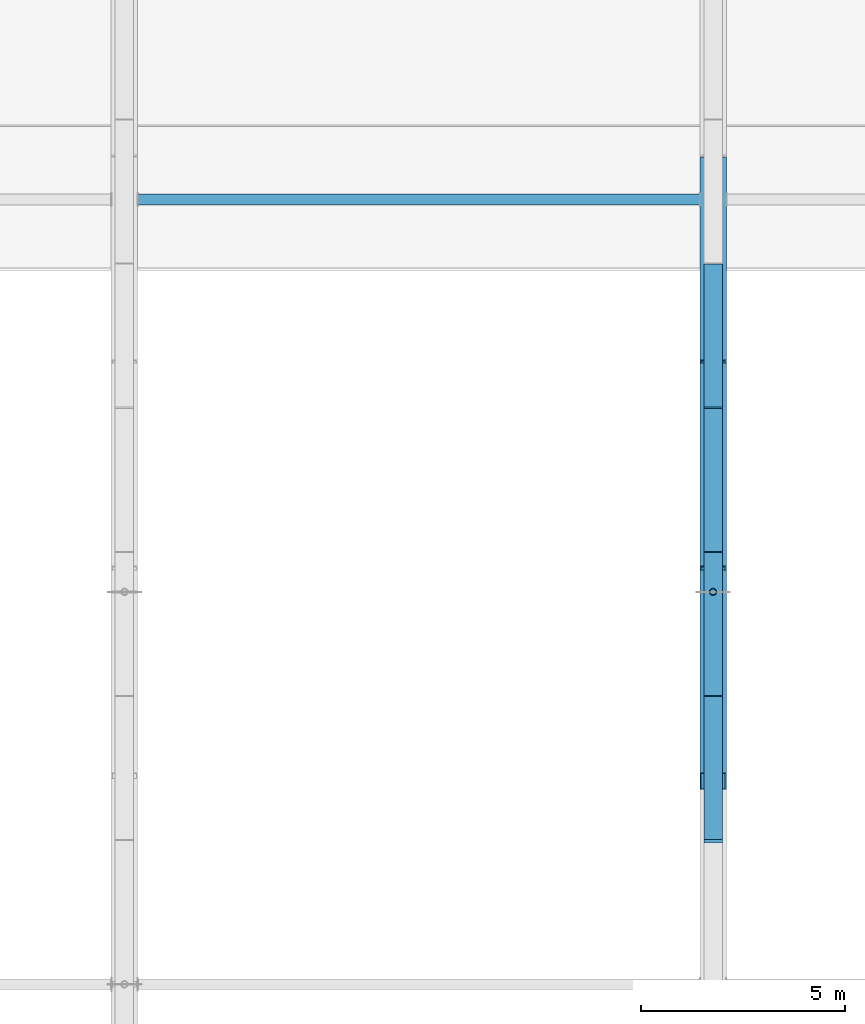
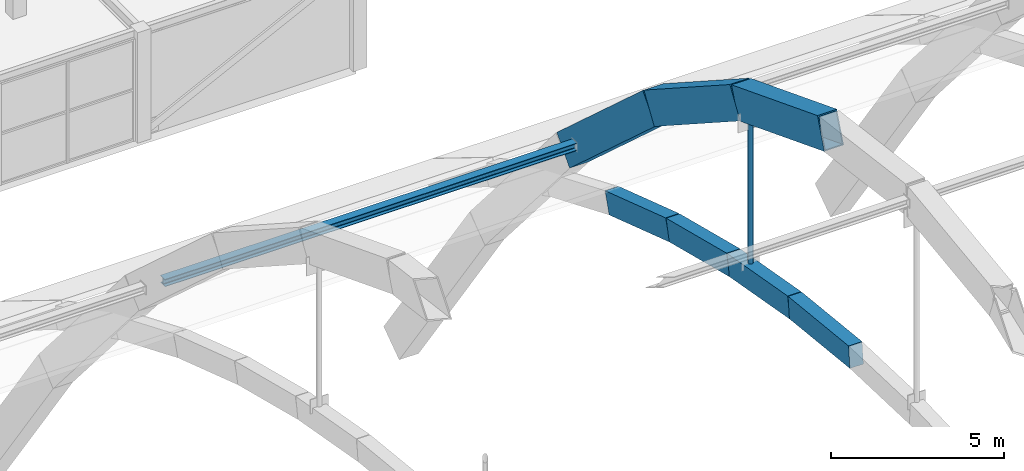
# One storey, part 16 of 64: 5 members, 4 beams.
"""IFC4 building model written with IfcOpenShell, lengths in metres."""

import ifcopenshell
import ifcopenshell.guid

model = None  # the IFC model being written
_history = None  # IfcOwnerHistory: only IFC2X3 demands one
_inside = {}  # id of a spatial element -> (the spatial element, [elements in it])
_under = {}  # id of a project, library or spatial element -> (it, [spatial elements below it])
_declared = {}  # id of a project -> (the project, [libraries it declares])
_typed = {}  # id of a type object -> (the type object, [elements of that type])
_made_of = {}  # id of a material, layer set ... -> (it, [elements and type objects made of it])


def new_model(schema):
    """Start an empty IFC model of exactly this schema.

    Asked for "IFC4X3", IfcOpenShell would pick the latest addendum, in which some entities
    have other attributes; the version numbers below select the first issue.
    IFC2X3 requires an IfcOwnerHistory on every rooted entity: one is made here for all.
    """
    global model, _history
    if schema == "IFC4X3":
        model = ifcopenshell.file(schema_version=(4, 3, 0, 0))
    else:
        model = ifcopenshell.file(schema=schema)
    _inside.clear()
    _under.clear()
    _declared.clear()
    _typed.clear()
    _made_of.clear()
    _history = None
    if model.schema == "IFC2X3":
        org = make("IfcOrganization", Name="unknown")
        user = make(
            "IfcPersonAndOrganization",
            ThePerson=make("IfcPerson", FamilyName="unknown"),
            TheOrganization=org,
        )
        app = make(
            "IfcApplication",
            ApplicationDeveloper=org,
            Version="unknown",
            ApplicationFullName="unknown",
            ApplicationIdentifier="unknown",
        )
        _history = make(
            "IfcOwnerHistory",
            OwningUser=user,
            OwningApplication=app,
            ChangeAction="ADDED",
            CreationDate=0,
        )
    return model


def make(cls, **values):
    """One entity of the class cls with the attributes given. An attribute that is None is left unset."""
    return model.create_entity(
        cls, **{name: value for name, value in values.items() if value is not None}
    )


def rooted(cls, **values):
    """An entity with a GlobalId (a new one), such as an element, a storey or a relation."""
    return make(cls, GlobalId=ifcopenshell.guid.new(), OwnerHistory=_history, **values)


def si_unit(unit_type, name, prefix=None):
    """IfcSIUnit, for example si_unit("LENGTHUNIT", "METRE", prefix="MILLI")."""
    return make("IfcSIUnit", UnitType=unit_type, Prefix=prefix, Name=name)


def assignment(units):
    """IfcUnitAssignment: the units of a project."""
    return None if units is None else make("IfcUnitAssignment", Units=units)


def point(xyz):
    """IfcCartesianPoint."""
    return None if xyz is None else make("IfcCartesianPoint", Coordinates=xyz)


def direction(xyz):
    """IfcDirection."""
    return None if xyz is None else make("IfcDirection", DirectionRatios=xyz)


def frame(location, z_axis=None, x_axis=None):
    """IfcAxis2Placement3D, a coordinate frame: its origin and axes. An axis left out is left unset."""
    return make(
        "IfcAxis2Placement3D",
        Location=point(location),
        Axis=direction(z_axis),
        RefDirection=direction(x_axis),
    )


def frame_2d(location, x_axis=None):
    """IfcAxis2Placement2D, a coordinate frame in the plane: its origin and x axis."""
    return make(
        "IfcAxis2Placement2D", Location=point(location), RefDirection=direction(x_axis)
    )


def origin():
    """The frame at (0, 0, 0) with its axes left unset."""
    return frame((0.0, 0.0, 0.0))


def origin_2d():
    """The frame at (0, 0) in the plane with its x axis left unset."""
    return frame_2d((0.0, 0.0))


def place(relative_to, where):
    """IfcLocalPlacement: puts the frame where relative to a parent placement (None: the world)."""
    return make(
        "IfcLocalPlacement", PlacementRelTo=relative_to, RelativePlacement=where
    )


def context(
    kind, dimensions, precision=None, world=None, true_north=None, identifier=None
):
    """IfcGeometricRepresentationContext, for example the 3D "Model" context."""
    return make(
        "IfcGeometricRepresentationContext",
        ContextIdentifier=identifier,
        ContextType=kind,
        CoordinateSpaceDimension=dimensions,
        Precision=precision,
        WorldCoordinateSystem=world,
        TrueNorth=true_north,
    )


def subcontext(parent, identifier, kind, view, scale=None):
    """IfcGeometricRepresentationSubContext, for example "Body" below "Model"."""
    return make(
        "IfcGeometricRepresentationSubContext",
        ContextIdentifier=identifier,
        ContextType=kind,
        ParentContext=parent,
        TargetScale=scale,
        TargetView=view,
    )


def project(units=None, contexts=None):
    """IfcProject with its units and contexts."""
    return rooted(
        "IfcProject",
        Name="project",
        RepresentationContexts=contexts,
        UnitsInContext=assignment(units),
    )


def spatial(cls, under=None, at=None, **own):
    """A site, building, storey or space (cls), placed at a placement, below another one or the project."""
    s = rooted(cls, ObjectPlacement=at, **own)
    if under is not None:
        _under.setdefault(under.id(), (under, []))[1].append(s)
    return s


def profile(cls, at=None, kind="AREA", **sizes):
    """A parametric profile (cls). Its sizes go by their IFC names, for example OverallWidth=200.0."""
    return make(cls, ProfileType=kind, Position=at, **sizes)


def rectangle(**sizes):
    """IfcRectangleProfileDef."""
    return profile("IfcRectangleProfileDef", **sizes)


def hollow_rectangle(**sizes):
    """IfcRectangleHollowProfileDef."""
    return profile("IfcRectangleHollowProfileDef", **sizes)


def hollow_circle(**sizes):
    """IfcCircleHollowProfileDef."""
    return profile("IfcCircleHollowProfileDef", **sizes)


def i_section(**sizes):
    """IfcIShapeProfileDef."""
    return profile("IfcIShapeProfileDef", **sizes)


def extrude(swept, where, along, depth):
    """IfcExtrudedAreaSolid: the profile swept, set in the frame where, extruded along a direction by depth."""
    return make(
        "IfcExtrudedAreaSolid",
        SweptArea=swept,
        Position=where,
        ExtrudedDirection=direction(along),
        Depth=depth,
    )


def shape(context_of_items, identifier, shape_type, items):
    """IfcShapeRepresentation: the items that make up one representation, for example the "Body"."""
    return make(
        "IfcShapeRepresentation",
        ContextOfItems=context_of_items,
        RepresentationIdentifier=identifier,
        RepresentationType=shape_type,
        Items=items,
    )


def material(Name=None, Category=None):
    """IfcMaterial."""
    return make("IfcMaterial", Name=Name, Category=Category)


def material_profile(
    of_material, cross_section, Name=None, Category=None, Priority=None
):
    """IfcMaterialProfile: a cross section and its material."""
    return make(
        "IfcMaterialProfile",
        Name=Name,
        Material=of_material,
        Profile=cross_section,
        Priority=Priority,
        Category=Category,
    )


def profile_set(profiles, Name=None, composite=None):
    """IfcMaterialProfileSet."""
    return make(
        "IfcMaterialProfileSet",
        Name=Name,
        MaterialProfiles=profiles,
        CompositeProfile=composite,
    )


def made_of(thing, what):
    """Note that an element or type object is made of a material, layer set ...; save() writes the relation."""
    if what is not None:
        _made_of.setdefault(what.id(), (what, []))[1].append(thing)
    return thing


def type_object(cls, material=None, **own):
    """A type object (cls), such as IfcWallType, which elements share."""
    return made_of(rooted(cls, **own), material)


def element(
    cls,
    number,
    at=None,
    inside=None,
    cuts=None,
    type_object=None,
    material=None,
    context=None,
    identifier="Body",
    shape_type=None,
    held_by="IfcProductDefinitionShape",
    body=None,
    shapes=None,
    **own,
):
    """One element of the class cls, such as IfcWall. Its Tag is "e" and its number.

    at: its placement. inside: the storey or other place that contains it. cuts: it is an
    opening in that element (IfcRelVoidsElement). A single representation is given by context,
    identifier, shape_type and body (its items); several are given by shapes. held_by: the class
    of the entity that holds the representations. save() writes the other relations.
    """
    e = rooted(cls, Tag="e%d" % number, ObjectPlacement=at, **own)
    if body is not None:
        shapes = [shape(context, identifier, shape_type, body)]
    if shapes is not None:
        e.Representation = make(held_by, Representations=shapes)
    if inside is not None:
        _inside.setdefault(inside.id(), (inside, []))[1].append(e)
    if cuts is not None:
        rooted(
            "IfcRelVoidsElement", RelatingBuildingElement=cuts, RelatedOpeningElement=e
        )
    if type_object is not None:
        _typed.setdefault(type_object.id(), (type_object, []))[1].append(e)
    return made_of(e, material)


def aggregate(whole, parts):
    """IfcRelAggregates: a whole, such as a stair, and the parts it consists of."""
    return rooted("IfcRelAggregates", RelatingObject=whole, RelatedObjects=parts)


def save(model, path):
    """Write the relations noted so far, then the file.

    IfcRelAggregates (storeys below a building ...), IfcRelContainedInSpatialStructure (elements
    in a storey), IfcRelDefinesByType, IfcRelAssociatesMaterial and IfcRelDeclares: one each for
    every whole, place, type object, material and project.
    """
    for whole, parts in _under.values():
        aggregate(whole, parts)
    for where, things in _inside.values():
        rooted(
            "IfcRelContainedInSpatialStructure",
            RelatedElements=things,
            RelatingStructure=where,
        )
    for kind, things in _typed.values():
        rooted("IfcRelDefinesByType", RelatedObjects=things, RelatingType=kind)
    for what, things in _made_of.values():
        rooted("IfcRelAssociatesMaterial", RelatedObjects=things, RelatingMaterial=what)
    for by, libraries in _declared.values():
        rooted("IfcRelDeclares", RelatingContext=by, RelatedDefinitions=libraries)
    model.write(path)


model = new_model("IFC4")

# Units and contexts
model_context = context("Model", 3, precision=1e-05, world=origin(), true_north=direction((0.0, 1.0)))
body_context = subcontext(model_context, "Body", "Model", "MODEL_VIEW")
ifc_project = project(units=[si_unit("LENGTHUNIT", "METRE"), si_unit("AREAUNIT", "SQUARE_METRE"), si_unit("VOLUMEUNIT", "CUBIC_METRE"), si_unit("PLANEANGLEUNIT", "RADIAN"), si_unit("MASSUNIT", "GRAM", prefix="KILO")], contexts=[model_context])

# Site, building, storey
site_placement = place(None, origin())
site = spatial("IfcSite", under=ifc_project, at=site_placement, CompositionType="ELEMENT")
building_placement = place(site_placement, origin())
building = spatial("IfcBuilding", under=site, at=building_placement, Name="Leyfeld Transit Interchange", CompositionType="ELEMENT")
storey_placement = place(building_placement, frame((0.0, 0.0, 9.60009765625)))
storey = spatial("IfcBuildingStorey", under=building, at=storey_placement, Name="L02", CompositionType="ELEMENT", Elevation=9.60009765625)

# Beams
ifc_material_1 = material(Name="Concrete C40/50", Category="concrete")
ifc_material_profile_1 = material_profile(ifc_material_1, rectangle(XDim=0.449951171875, YDim=0.75, at=origin_2d()), Name="RC 750x450 RIB")
ifc_profile_set_1 = profile_set([ifc_material_profile_1], Name="Concrete C40/50")
beam_type = type_object("IfcBeamType", Name="BM-RIB-750x450", PredefinedType="USERDEFINED", material=ifc_profile_set_1)
beam_1_placement = place(storey_placement, frame((43.199951171875, 35.89990234375, 7.317626953125), z_axis=(0.0, 0.99446241795, -0.105092812723), x_axis=(-1.0, 0.0, 0.0)))
element("IfcBeam", 1, at=beam_1_placement, inside=storey, type_object=beam_type, Name="Concourse Vault Rib A4 Seg 10", ObjectType="ARCH_RIB", PredefinedType="USERDEFINED", context=body_context, shape_type="SweptSolid", body=[
    extrude(rectangle(XDim=0.449951171875, YDim=0.75, at=origin_2d()), origin(), (0.0, 0.0, 1.0), 3.51953125),
])
beam_2_placement = place(storey_placement, frame((43.199951171875, 39.39990234375, 6.94775390625), z_axis=(0.0, 0.984546197367, -0.175125056033), x_axis=(-1.0, 0.0, 0.0)))
element("IfcBeam", 2, at=beam_2_placement, inside=storey, type_object=beam_type, Name="Concourse Vault Rib A4 Seg 11", ObjectType="ARCH_RIB", PredefinedType="USERDEFINED", context=body_context, shape_type="SweptSolid", body=[
    extrude(rectangle(XDim=0.449951171875, YDim=0.75, at=origin_2d()), origin(), (0.0, 0.0, 1.0), 3.554931640625),
])
beam_3_placement = place(storey_placement, frame((43.199951171875, 42.89990234375, 6.3251953125), z_axis=(0.0, 0.969486598247, -0.245144316312), x_axis=(-1.0, 0.0, 0.0)))
element("IfcBeam", 3, at=beam_3_placement, inside=storey, type_object=beam_type, Name="Concourse Vault Rib A4 Seg 12", ObjectType="ARCH_RIB", PredefinedType="USERDEFINED", context=body_context, shape_type="SweptSolid", body=[
    extrude(rectangle(XDim=0.449951171875, YDim=0.75, at=origin_2d()), origin(), (0.0, 0.0, 1.0), 3.610107421875),
])
beam_4_placement = place(storey_placement, frame((43.199951171875, 46.39990234375, 5.440185546875), z_axis=(0.0, 0.949033570575, -0.315175002058), x_axis=(-1.0, 0.0, 0.0)))
element("IfcBeam", 4, at=beam_4_placement, inside=storey, type_object=beam_type, Name="Concourse Vault Rib A4 Seg 13", ObjectType="ARCH_RIB", PredefinedType="USERDEFINED", context=body_context, shape_type="SweptSolid", body=[
    extrude(rectangle(XDim=0.449951171875, YDim=0.75, at=origin_2d()), origin(), (0.0, 0.0, 1.0), 3.68798828125),
])

# Members
ifc_material_2 = material(Name="Steel S355J2 - Ochre Arch", Category="steel")
ifc_material_profile_2 = material_profile(ifc_material_2, hollow_rectangle(XDim=0.64990234375, YDim=1.10009765625, WallThickness=0.035888671875, at=origin_2d()), Name="RHS 1100x650x36")
ifc_profile_set_2 = profile_set([ifc_material_profile_2], Name="Steel S355J2 - Ochre Arch")
member_type_1 = type_object("IfcMemberType", Name="MEM-ARCH-1100", PredefinedType="USERDEFINED", material=ifc_profile_set_2)
member_1_placement = place(storey_placement, frame((43.199951171875, 37.36669921875, 14.358154296875), z_axis=(0.0, 0.932424670612, -0.361364405599), x_axis=(-1.0, 0.0, 0.0)))
element("IfcMember", 5, at=member_1_placement, inside=storey, type_object=member_type_1, Name="Primary Steel Arch AR-03 Seg 8", ObjectType="ARCH_SEGMENT", PredefinedType="USERDEFINED", context=body_context, shape_type="SweptSolid", body=[
    extrude(hollow_rectangle(XDim=0.64990234375, YDim=1.10009765625, WallThickness=0.035888671875, at=origin_2d()), origin(), (0.0, 0.0, 1.0), 5.326416015625),
])
member_2_placement = place(storey_placement, frame((43.199951171875, 42.333251953125, 12.433349609375), z_axis=(0.0, 0.839979785282, -0.542617692596), x_axis=(-1.0, 0.0, 0.0)))
element("IfcMember", 6, at=member_2_placement, inside=storey, type_object=member_type_1, Name="Primary Steel Arch AR-03 Seg 9", ObjectType="ARCH_SEGMENT", PredefinedType="USERDEFINED", context=body_context, shape_type="SweptSolid", body=[
    extrude(hollow_rectangle(XDim=0.64990234375, YDim=1.10009765625, WallThickness=0.035888671875, at=origin_2d()), origin(), (0.0, 0.0, 1.0), 5.9130859375),
])
member_3_placement = place(storey_placement, frame((43.199951171875, 47.300048828125, 9.224853515625), z_axis=(0.0, 0.741673096265, -0.670761521166), x_axis=(-1.0, 0.0, 0.0)))
element("IfcMember", 7, at=member_3_placement, inside=storey, type_object=member_type_1, Name="Primary Steel Arch AR-03 Seg 10", ObjectType="ARCH_SEGMENT", PredefinedType="USERDEFINED", context=body_context, shape_type="SweptSolid", body=[
    extrude(hollow_rectangle(XDim=0.64990234375, YDim=1.10009765625, WallThickness=0.035888671875, at=origin_2d()), origin(), (0.0, 0.0, 1.0), 6.696533203125),
])
ifc_material_3 = material(Name="Steel S355J2", Category="steel")
ifc_material_profile_3 = material_profile(ifc_material_3, i_section(OverallWidth=0.260009765625, OverallDepth=0.260009765625, WebThickness=0.010009765625, FlangeThickness=0.017578125, FilletRadius=0.02392578125, at=origin_2d()), Name="HEB 260")
ifc_profile_set_3 = profile_set([ifc_material_profile_3], Name="Steel S355J2")
member_type_2 = type_object("IfcMemberType", Name="MEM-CHD-HEB260", PredefinedType="CHORD", material=ifc_profile_set_3)
member_4_placement = place(storey_placement, frame((29.125, 51.60009765625, 5.336181640625), z_axis=(1.0, 0.0, 0.0), x_axis=(0.0, 1.0, 0.0)))
element("IfcMember", 8, at=member_4_placement, inside=storey, type_object=member_type_2, Name="Arch Longitudinal Tie Chord B3 T3", PredefinedType="CHORD", context=body_context, shape_type="SweptSolid", body=[
    extrude(i_section(OverallWidth=0.260009765625, OverallDepth=0.260009765625, WebThickness=0.010009765625, FlangeThickness=0.017578125, FilletRadius=0.02392578125, at=origin_2d()), origin(), (0.0, 0.0, 1.0), 13.75),
])
ifc_material_profile_4 = material_profile(ifc_material_3, hollow_circle(Radius=0.084228515625, WallThickness=0.008056640625, at=origin_2d()), Name="CHS 168.3x8")
ifc_profile_set_4 = profile_set([ifc_material_profile_4], Name="Steel S355J2")
member_type_3 = type_object("IfcMemberType", Name="MEM-HGR-168", PredefinedType="USERDEFINED", material=ifc_profile_set_4)
member_5_placement = place(storey_placement, frame((43.199951171875, 42.0, 6.885009765625), z_axis=(0.0, 0.0, 1.0), x_axis=(1.0, 0.0, 0.0)))
element("IfcMember", 9, at=member_5_placement, inside=storey, type_object=member_type_3, Name="Arch Tension Hanger AR-03 H5", ObjectType="SUSPENDER", PredefinedType="USERDEFINED", context=body_context, shape_type="SweptSolid", body=[
    extrude(hollow_circle(Radius=0.084228515625, WallThickness=0.008056640625, at=origin_2d()), origin(), (0.0, 0.0, 1.0), 5.087646484375),
])

save(model, "model.ifc")
